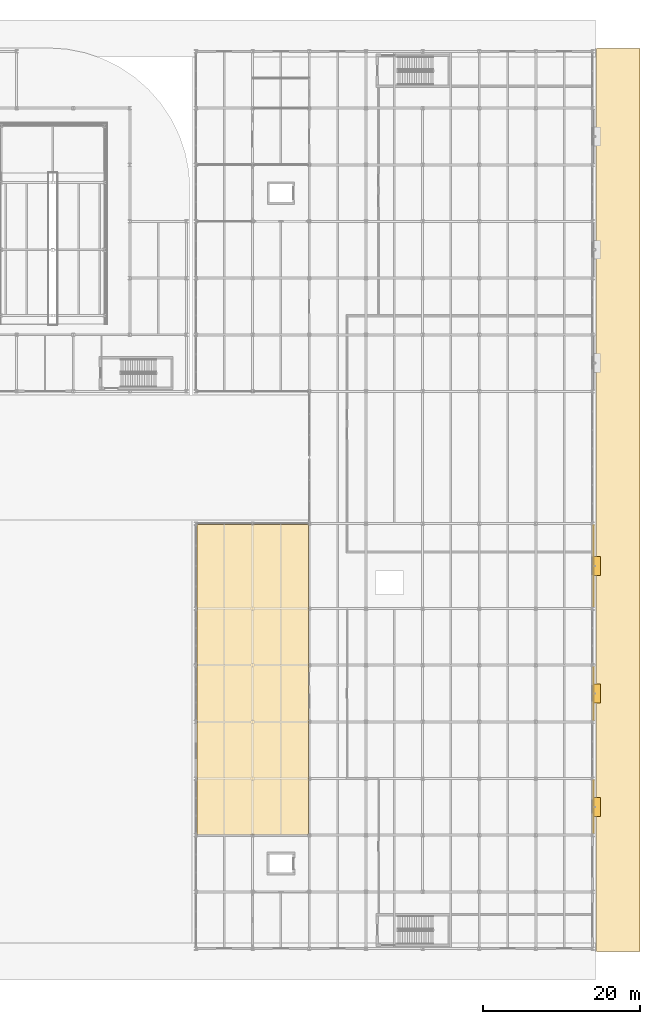
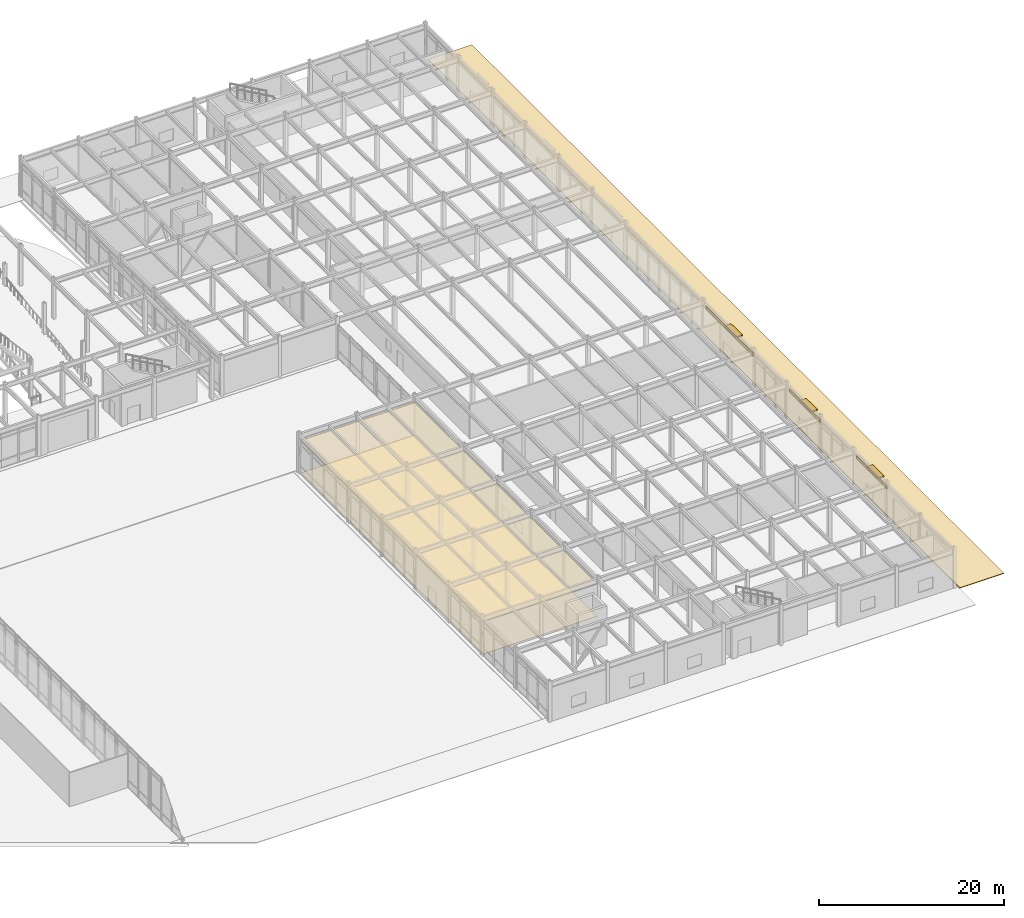
# One storey, part 99 of 104: 6 coverings, 3 shading devices.
"""IFC4 building model written with IfcOpenShell, lengths in metres."""

from ifc_helpers import new_model, si_unit, direction, frame, origin, origin_2d, place, context, subcontext, project, spatial, polyline, rectangle, outline, extrude, material, layer, layer_set, type_object, element, save


model = new_model("IFC4")

# Units and contexts
model_context = context("Model", 3, precision=1e-05, world=origin(), true_north=direction((0.0, 1.0)))
body_context = subcontext(model_context, "Body", "Model", "MODEL_VIEW")
ifc_project = project(units=[si_unit("LENGTHUNIT", "METRE"), si_unit("AREAUNIT", "SQUARE_METRE"), si_unit("VOLUMEUNIT", "CUBIC_METRE"), si_unit("PLANEANGLEUNIT", "RADIAN"), si_unit("MASSUNIT", "GRAM", prefix="KILO")], contexts=[model_context])

# Site, building, storey
site_placement = place(None, origin())
site = spatial("IfcSite", under=ifc_project, at=site_placement, CompositionType="ELEMENT")
building_placement = place(site_placement, origin())
building = spatial("IfcBuilding", under=site, at=building_placement, Name="Vaelcorin Mobility Hub", CompositionType="ELEMENT")
storey_placement = place(building_placement, origin())
storey = spatial("IfcBuildingStorey", under=building, at=storey_placement, Name="L00", CompositionType="ELEMENT", Elevation=0.0)

# Coverings
ifc_material_1 = material(Name="Perforated acoustic mineral-fibre ceiling tile")
ifc_layer_1 = layer(ifc_material_1, 0.02001953125)
ifc_layer_set_1 = layer_set([ifc_layer_1], Name="Perforated acoustic mineral-fibre ceiling tile")
covering_type_1 = type_object("IfcCoveringType", Name="COV-CEIL-1", PredefinedType="CEILING", material=ifc_layer_set_1)
covering_1_placement = place(storey_placement, frame((0.0, 0.0, 4.287109375)))
element("IfcCovering", 1, at=covering_1_placement, inside=storey, type_object=covering_type_1, Name="Shared-Mobility Scooter Station Acoustic Ceiling", PredefinedType="CEILING", context=body_context, shape_type="SweptSolid", body=[
    extrude(outline(polyline([(153.800048828125, 20.47998046875), (153.7939453125, 20.47998046875), (153.7880859375, 20.48095703125), (153.782958984375, 20.48291015625), (153.777099609375, 20.485107421875), (153.77197265625, 20.487060546875), (153.76708984375, 20.489990234375), (153.761962890625, 20.493896484375), (153.758056640625, 20.498046875), (153.75390625, 20.501953125), (153.75, 20.507080078125), (153.7470703125, 20.511962890625), (153.7451171875, 20.51708984375), (153.742919921875, 20.52294921875), (153.740966796875, 20.528076171875), (153.739990234375, 20.533935546875), (153.739990234375, 20.5400390625), (153.739990234375, 59.800048828125), (153.739990234375, 59.805908203125), (153.740966796875, 59.81201171875), (153.742919921875, 59.81689453125), (153.7451171875, 59.822998046875), (153.7470703125, 59.827880859375), (153.75, 59.8330078125), (153.75390625, 59.837890625), (153.758056640625, 59.842041015625), (153.761962890625, 59.845947265625), (153.76708984375, 59.85009765625), (153.77197265625, 59.85302734375), (153.777099609375, 59.85498046875), (153.782958984375, 59.85693359375), (153.7880859375, 59.85888671875), (153.7939453125, 59.860107421875), (153.800048828125, 59.860107421875), (167.860107421875, 59.860107421875), (167.865966796875, 59.860107421875), (167.8720703125, 59.85888671875), (167.876953125, 59.85693359375), (167.883056640625, 59.85498046875), (167.887939453125, 59.85302734375), (167.89306640625, 59.85009765625), (167.89794921875, 59.845947265625), (167.902099609375, 59.842041015625), (167.906005859375, 59.837890625), (167.909912109375, 59.8330078125), (167.9130859375, 59.827880859375), (167.9150390625, 59.822998046875), (167.9169921875, 59.81689453125), (167.9189453125, 59.81201171875), (167.919921875, 59.805908203125), (167.919921875, 59.800048828125), (167.919921875, 20.5400390625), (167.919921875, 20.533935546875), (167.9189453125, 20.528076171875), (167.9169921875, 20.52294921875), (167.9150390625, 20.51708984375), (167.9130859375, 20.511962890625), (167.909912109375, 20.507080078125), (167.906005859375, 20.501953125), (167.902099609375, 20.498046875), (167.89794921875, 20.493896484375), (167.89306640625, 20.489990234375), (167.887939453125, 20.487060546875), (167.883056640625, 20.485107421875), (167.876953125, 20.48291015625), (167.8720703125, 20.48095703125), (167.865966796875, 20.47998046875), (167.860107421875, 20.47998046875), (153.800048828125, 20.47998046875)])), origin(), (0.0, 0.0, 1.0), 0.019775390625),
])
ifc_material_2 = material(Name="Extruded terracotta-bronze rainscreen panel", Category="masonry")
ifc_layer_2 = layer(ifc_material_2, 0.02490234375)
ifc_layer_set_2 = layer_set([ifc_layer_2], Name="Extruded terracotta-bronze rainscreen panel")
covering_type_2 = type_object("IfcCoveringType", Name="COV-CLAD-25", PredefinedType="CLADDING", material=ifc_layer_set_2)
for number, where, z_axis, x_axis, name in (
    (2, (204.139892578125, 24.0, 3.966796875), (0.0, 0.0, 1.0), (1.0, 0.0, 0.0), "Terracotta-Bronze Facade Cladding L00-03"),
    (3, (204.139892578125, 38.39990234375, 3.966796875), (0.0, 0.0, 1.0), (1.0, 0.0, 0.0), "Terracotta-Bronze Facade Cladding L00-05"),
):
    element("IfcCovering", number, at=place(storey_placement, frame(where, z_axis=z_axis, x_axis=x_axis)), inside=storey, type_object=covering_type_2, Name=name, PredefinedType="CLADDING", context=body_context, shape_type="SweptSolid", body=[
        extrude(rectangle(XDim=0.028076171875, YDim=6.60009765625, at=origin_2d()), origin(), (0.0, 0.0, 1.0), 0.449951171875),
    ])
covering_2_placement = place(storey_placement, frame((204.139892578125, 54.60009765625, 3.966796875), z_axis=(0.0, 0.0, 1.0), x_axis=(1.0, 0.0, 0.0)))
element("IfcCovering", 4, at=covering_2_placement, inside=storey, type_object=covering_type_2, Name="Terracotta-Bronze Facade Cladding L00-07", PredefinedType="CLADDING", context=body_context, shape_type="SweptSolid", body=[
    extrude(rectangle(XDim=0.028076171875, YDim=10.199951171875, at=origin_2d()), origin(), (0.0, 0.0, 1.0), 0.449951171875),
])
ifc_material_3 = material(Name="Polished epoxy-terrazzo concourse flooring")
ifc_layer_3 = layer(ifc_material_3, 0.01806640625)
ifc_layer_set_3 = layer_set([ifc_layer_3], Name="Polished epoxy-terrazzo concourse flooring")
covering_type_3 = type_object("IfcCoveringType", Name="COV-FLR-1", PredefinedType="FLOORING", material=ifc_layer_set_3)
covering_3_placement = place(storey_placement, origin())
element("IfcCovering", 5, at=covering_3_placement, inside=storey, type_object=covering_type_3, Name="Shared-Mobility Scooter Station Finish Flooring", PredefinedType="FLOORING", context=body_context, shape_type="SweptSolid", body=[
    extrude(outline(polyline([(153.800048828125, 20.47998046875), (153.7939453125, 20.47998046875), (153.7880859375, 20.48095703125), (153.782958984375, 20.48291015625), (153.777099609375, 20.485107421875), (153.77197265625, 20.487060546875), (153.76708984375, 20.489990234375), (153.761962890625, 20.493896484375), (153.758056640625, 20.498046875), (153.75390625, 20.501953125), (153.75, 20.507080078125), (153.7470703125, 20.511962890625), (153.7451171875, 20.51708984375), (153.742919921875, 20.52294921875), (153.740966796875, 20.528076171875), (153.739990234375, 20.533935546875), (153.739990234375, 20.5400390625), (153.739990234375, 59.800048828125), (153.739990234375, 59.805908203125), (153.740966796875, 59.81201171875), (153.742919921875, 59.81689453125), (153.7451171875, 59.822998046875), (153.7470703125, 59.827880859375), (153.75, 59.8330078125), (153.75390625, 59.837890625), (153.758056640625, 59.842041015625), (153.761962890625, 59.845947265625), (153.76708984375, 59.85009765625), (153.77197265625, 59.85302734375), (153.777099609375, 59.85498046875), (153.782958984375, 59.85693359375), (153.7880859375, 59.85888671875), (153.7939453125, 59.860107421875), (153.800048828125, 59.860107421875), (167.860107421875, 59.860107421875), (167.865966796875, 59.860107421875), (167.8720703125, 59.85888671875), (167.876953125, 59.85693359375), (167.883056640625, 59.85498046875), (167.887939453125, 59.85302734375), (167.89306640625, 59.85009765625), (167.89794921875, 59.845947265625), (167.902099609375, 59.842041015625), (167.906005859375, 59.837890625), (167.909912109375, 59.8330078125), (167.9130859375, 59.827880859375), (167.9150390625, 59.822998046875), (167.9169921875, 59.81689453125), (167.9189453125, 59.81201171875), (167.919921875, 59.805908203125), (167.919921875, 59.800048828125), (167.919921875, 20.5400390625), (167.919921875, 20.533935546875), (167.9189453125, 20.528076171875), (167.9169921875, 20.52294921875), (167.9150390625, 20.51708984375), (167.9130859375, 20.511962890625), (167.909912109375, 20.507080078125), (167.906005859375, 20.501953125), (167.902099609375, 20.498046875), (167.89794921875, 20.493896484375), (167.89306640625, 20.489990234375), (167.887939453125, 20.487060546875), (167.883056640625, 20.485107421875), (167.876953125, 20.48291015625), (167.8720703125, 20.48095703125), (167.865966796875, 20.47998046875), (167.860107421875, 20.47998046875), (153.800048828125, 20.47998046875)])), origin(), (0.0, 0.0, 1.0), 0.01806640625),
])
ifc_material_4 = material(Name="Permeable granite plaza paving", Category="masonry")
ifc_layer_4 = layer(ifc_material_4, 0.080078125)
ifc_layer_set_4 = layer_set([ifc_layer_4], Name="Permeable granite plaza paving")
covering_type_4 = type_object("IfcCoveringType", Name="COV-PAVE-80", PredefinedType="USERDEFINED", material=ifc_layer_set_4)
covering_4_placement = place(storey_placement, frame((0.0, 0.0, -0.080078125)))
element("IfcCovering", 6, at=covering_4_placement, inside=storey, type_object=covering_type_4, Name="East Cycleway Apron", ObjectType="SITE PAVING", PredefinedType="USERDEFINED", context=body_context, shape_type="SweptSolid", body=[
    extrude(outline(polyline([(204.5, 5.60009765625), (210.0, 5.60009765625), (210.0, 120.39990234375), (204.5, 120.39990234375), (204.5, 5.60009765625)])), origin(), (0.0, 0.0, 1.0), 0.080078125),
])

# Shading devices
ifc_material_5 = material(Name="Perforated terracotta-bronze aluminium aerofoil", Category="masonry")
shading_device_type_1 = type_object("IfcShadingDeviceType", Name="SHD-JAL-1", PredefinedType="JALOUSIE", material=ifc_material_5)
shading_device_placement = place(storey_placement, frame((204.550048828125, 38.39990234375, 4.02197265625), z_axis=(0.0, 0.0, 1.0), x_axis=(1.0, 0.0, 0.0)))
element("IfcShadingDevice", 7, at=shading_device_placement, inside=storey, type_object=shading_device_type_1, Name="Jalousie Sun-Hood L00-05", PredefinedType="JALOUSIE", context=body_context, shape_type="SweptSolid", body=[
    extrude(rectangle(XDim=0.89990234375, YDim=2.39990234375, at=origin_2d()), origin(), (0.0, 0.0, 1.0), 0.139892578125),
])
shading_device_type_2 = type_object("IfcShadingDeviceType", Name="SHD-JAL-2", PredefinedType="JALOUSIE", material=ifc_material_5)
for number, where, z_axis, x_axis, name in (
    (8, (204.550048828125, 24.0, 4.02197265625), (0.0, 0.0, 1.0), (1.0, 0.0, 0.0), "Jalousie Sun-Hood L00-03"),
    (9, (204.550048828125, 54.60009765625, 4.02197265625), (0.0, 0.0, 1.0), (1.0, 0.0, 0.0), "Jalousie Sun-Hood L00-07"),
):
    element("IfcShadingDevice", number, at=place(storey_placement, frame(where, z_axis=z_axis, x_axis=x_axis)), inside=storey, type_object=shading_device_type_2, Name=name, PredefinedType="JALOUSIE", context=body_context, shape_type="SweptSolid", body=[
        extrude(rectangle(XDim=0.89990234375, YDim=2.39990234375, at=origin_2d()), origin(), (0.0, 0.0, 1.0), 0.139892578125),
    ])

save(model, "model.ifc")
